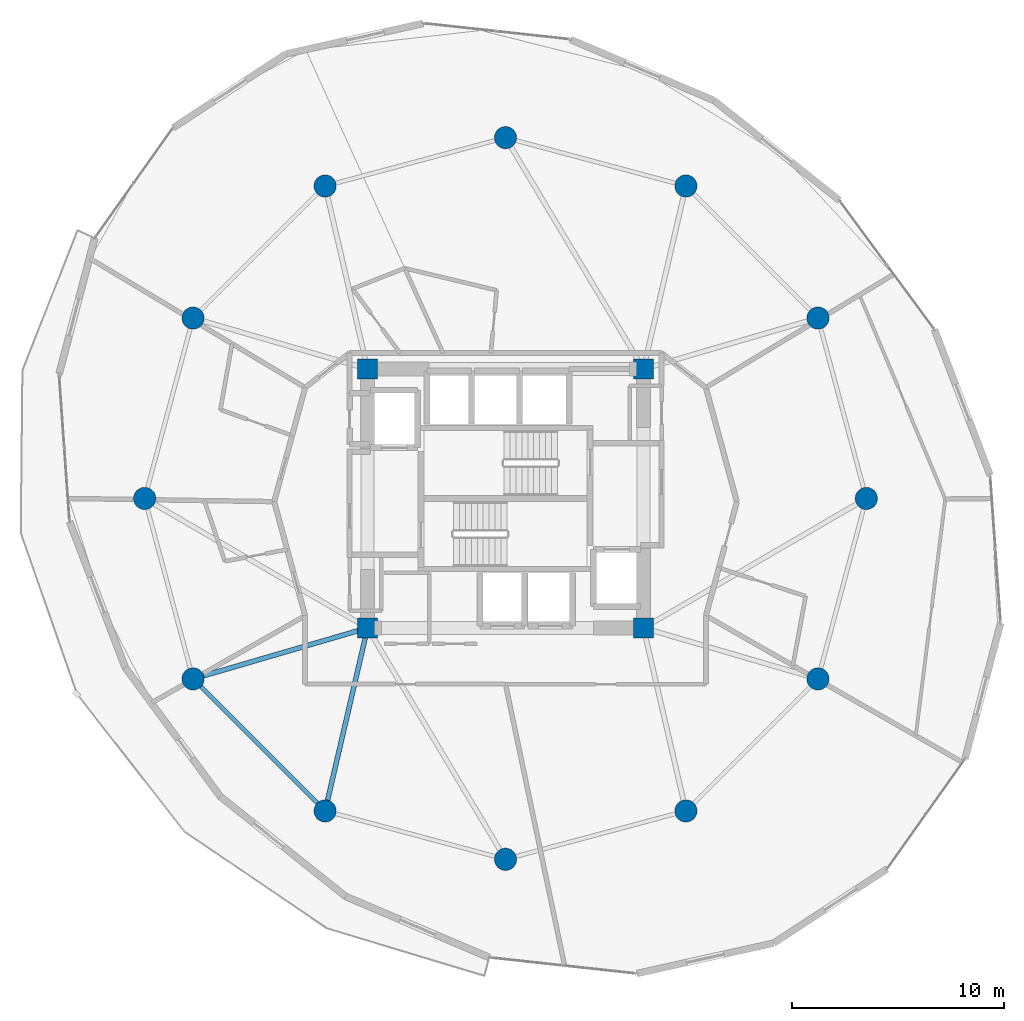
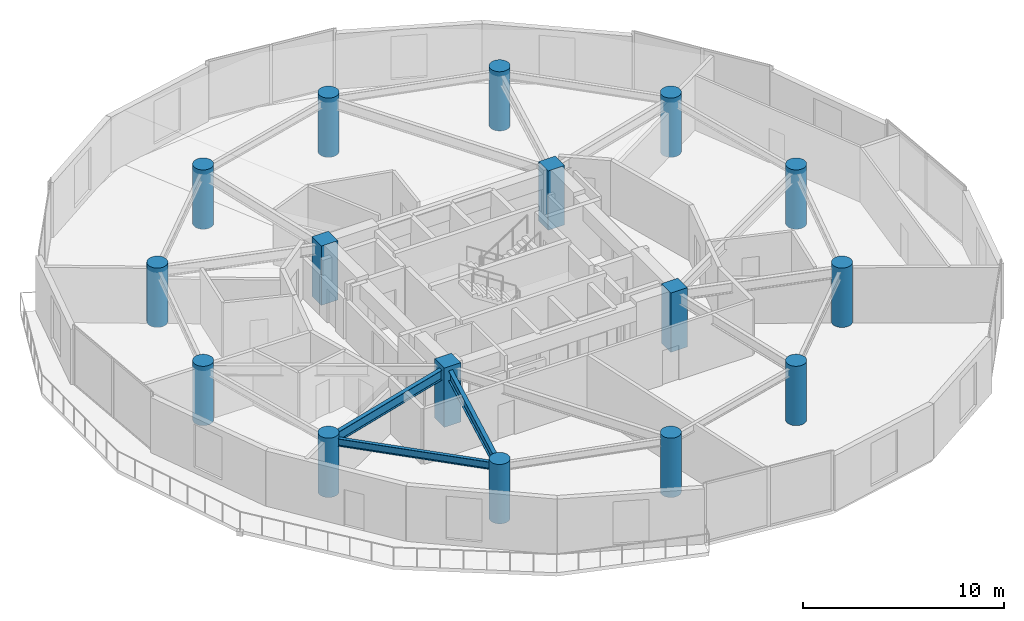
# One storey, part 1 of 22: 16 columns, 3 beams.
"""IFC4 building model written with IfcOpenShell, lengths in metres."""

from ifc_helpers import new_model, si_unit, direction, frame, origin, origin_2d, place, context, subcontext, project, spatial, rectangle, circle, i_section, extrude, material, material_profile, profile_set, type_object, element, save


model = new_model("IFC4")

# Units and contexts
model_context = context("Model", 3, precision=1e-05, world=origin(), true_north=direction((0.0, 1.0)))
body_context = subcontext(model_context, "Body", "Model", "MODEL_VIEW")
ifc_project = project(units=[si_unit("LENGTHUNIT", "METRE"), si_unit("AREAUNIT", "SQUARE_METRE"), si_unit("VOLUMEUNIT", "CUBIC_METRE"), si_unit("PLANEANGLEUNIT", "RADIAN"), si_unit("MASSUNIT", "GRAM", prefix="KILO")], contexts=[model_context])

# Site, building, storey
site_placement = place(None, origin())
site = spatial("IfcSite", under=ifc_project, at=site_placement, CompositionType="ELEMENT")
building_placement = place(site_placement, origin())
building = spatial("IfcBuilding", under=site, at=building_placement, Name="Solvirekh Grand Hotel", CompositionType="ELEMENT")
storey_placement = place(building_placement, frame((0.0, 0.0, 149.39990234375)))
storey = spatial("IfcBuildingStorey", under=building, at=storey_placement, Name="L38", CompositionType="ELEMENT", Elevation=149.39990234375)

# Columns
ifc_material_1 = material(Name="Concrete C50/60", Category="concrete")
ifc_material_profile_1 = material_profile(ifc_material_1, rectangle(XDim=0.949951171875, YDim=0.949951171875, at=origin_2d()), Name="RC 950X950")
ifc_profile_set_1 = profile_set([ifc_material_profile_1], Name="Concrete C50/60")
column_type_1 = type_object("IfcColumnType", Name="Col_Core_950", PredefinedType="COLUMN", material=ifc_profile_set_1)
for number, where, z_axis, x_axis, name in (
    (1, (-6.5, -6.10009765625, 0.0), (0.0, 0.0, 1.0), (1.0, 0.0, 0.0), "L38 core corner column CC1"),
    (2, (6.5, -6.10009765625, 0.0), (0.0, 0.0, 1.0), (1.0, 0.0, 0.0), "L38 core corner column CC2"),
    (3, (6.5, 6.10009765625, 0.0), (0.0, 0.0, 1.0), (1.0, 0.0, 0.0), "L38 core corner column CC3"),
    (4, (-6.5, 6.10009765625, 0.0), (0.0, 0.0, 1.0), (1.0, 0.0, 0.0), "L38 core corner column CC4"),
):
    element("IfcColumn", number, at=place(storey_placement, frame(where, z_axis=z_axis, x_axis=x_axis)), inside=storey, type_object=column_type_1, Name=name, PredefinedType="COLUMN", context=body_context, shape_type="SweptSolid", body=[
        extrude(rectangle(XDim=0.949951171875, YDim=0.949951171875, at=origin_2d()), origin(), (0.0, 0.0, 1.0), 3.60009765625),
    ])
ifc_material_profile_2 = material_profile(ifc_material_1, circle(Radius=0.52490234375, at=origin_2d()), Name="RC CIRC D1050")
ifc_profile_set_2 = profile_set([ifc_material_profile_2], Name="Concrete C50/60")
column_type_2 = type_object("IfcColumnType", Name="Col_Z2_D1050", PredefinedType="COLUMN", material=ifc_profile_set_2)
for number, where, z_axis, x_axis, name in (
    (5, (17.0, 0.0, 0.0), (0.0, 0.0, 1.0), (1.0, 0.0, 0.0), "L38 perimeter column P01"),
    (6, (14.721923828125, 8.5, 0.0), (0.0, 0.0, 1.0), (1.0, 0.0, 0.0), "L38 perimeter column P02"),
    (7, (8.5, 14.721923828125, 0.0), (0.0, 0.0, 1.0), (1.0, 0.0, 0.0), "L38 perimeter column P03"),
    (8, (0.0, 17.0, 0.0), (0.0, 0.0, 1.0), (1.0, 0.0, 0.0), "L38 perimeter column P04"),
    (9, (-8.5, 14.721923828125, 0.0), (0.0, 0.0, 1.0), (1.0, 0.0, 0.0), "L38 perimeter column P05"),
    (10, (-14.721923828125, 8.5, 0.0), (0.0, 0.0, 1.0), (1.0, 0.0, 0.0), "L38 perimeter column P06"),
    (11, (-17.0, 0.0, 0.0), (0.0, 0.0, 1.0), (1.0, 0.0, 0.0), "L38 perimeter column P07"),
    (12, (-14.721923828125, -8.5, 0.0), (0.0, 0.0, 1.0), (1.0, 0.0, 0.0), "L38 perimeter column P08"),
    (13, (-8.5, -14.721923828125, 0.0), (0.0, 0.0, 1.0), (1.0, 0.0, 0.0), "L38 perimeter column P09"),
    (14, (0.0, -17.0, 0.0), (0.0, 0.0, 1.0), (1.0, 0.0, 0.0), "L38 perimeter column P10"),
    (15, (8.5, -14.721923828125, 0.0), (0.0, 0.0, 1.0), (1.0, 0.0, 0.0), "L38 perimeter column P11"),
    (16, (14.721923828125, -8.5, 0.0), (0.0, 0.0, 1.0), (1.0, 0.0, 0.0), "L38 perimeter column P12"),
):
    element("IfcColumn", number, at=place(storey_placement, frame(where, z_axis=z_axis, x_axis=x_axis)), inside=storey, type_object=column_type_2, Name=name, PredefinedType="COLUMN", context=body_context, shape_type="SweptSolid", body=[
        extrude(circle(Radius=0.52490234375, at=origin_2d()), origin(), (0.0, 0.0, 1.0), 3.60009765625),
    ])

# Beams
ifc_material_2 = material(Name="Steel S355", Category="steel")
ifc_material_profile_3 = material_profile(ifc_material_2, i_section(OverallWidth=0.22802734375, OverallDepth=0.616943359375, WebThickness=0.012939453125, FlangeThickness=0.02001953125, FilletRadius=0.014892578125, at=origin_2d()), Name="W610X140")
ifc_profile_set_3 = profile_set([ifc_material_profile_3], Name="Steel S355")
beam_type_1 = type_object("IfcBeamType", Name="Beam_Radial_W610", PredefinedType="BEAM", material=ifc_profile_set_3)
beam_1_placement = place(storey_placement, frame((-6.5, -6.10009765625, 3.041015625), z_axis=(-0.959942195467, -0.28019811092, 0.0), x_axis=(0.28019811092, -0.959942195467, 0.0)))
element("IfcBeam", 17, at=beam_1_placement, inside=storey, type_object=beam_type_1, Name="L38 radial floor beam R08", PredefinedType="BEAM", context=body_context, shape_type="SweptSolid", body=[
    extrude(i_section(OverallWidth=0.22802734375, OverallDepth=0.616943359375, WebThickness=0.012939453125, FlangeThickness=0.02001953125, FilletRadius=0.014892578125, at=origin_2d()), origin(), (0.0, 0.0, 1.0), 8.56494140625),
])
beam_2_placement = place(storey_placement, frame((-6.5, -6.10009765625, 3.041015625), z_axis=(-0.225969390542, -0.974134402707, 0.0), x_axis=(0.974134402707, -0.225969390542, 0.0)))
element("IfcBeam", 18, at=beam_2_placement, inside=storey, type_object=beam_type_1, Name="L38 radial floor beam R09", PredefinedType="BEAM", context=body_context, shape_type="SweptSolid", body=[
    extrude(i_section(OverallWidth=0.22802734375, OverallDepth=0.616943359375, WebThickness=0.012939453125, FlangeThickness=0.02001953125, FilletRadius=0.014892578125, at=origin_2d()), origin(), (0.0, 0.0, 1.0), 8.850830078125),
])
ifc_material_profile_4 = material_profile(ifc_material_2, i_section(OverallWidth=0.18994140625, OverallDepth=0.45703125, WebThickness=0.009033203125, FlangeThickness=0.013916015625, FilletRadius=0.012939453125, at=origin_2d()), Name="W460X74")
ifc_profile_set_4 = profile_set([ifc_material_profile_4], Name="Steel S355")
beam_type_2 = type_object("IfcBeamType", Name="Spandrel_Ring_W460", PredefinedType="SPANDREL", material=ifc_profile_set_4)
beam_3_placement = place(storey_placement, frame((-14.721923828125, -8.5, 3.1220703125), z_axis=(0.707106781187, -0.707106781187, 0.0), x_axis=(0.707106781187, 0.707106781187, 0.0)))
element("IfcBeam", 19, at=beam_3_placement, inside=storey, type_object=beam_type_2, Name="L38 perimeter spandrel beam 8", PredefinedType="SPANDREL", context=body_context, shape_type="SweptSolid", body=[
    extrude(i_section(OverallWidth=0.18994140625, OverallDepth=0.45703125, WebThickness=0.009033203125, FlangeThickness=0.013916015625, FilletRadius=0.012939453125, at=origin_2d()), origin(), (0.0, 0.0, 1.0), 8.799072265625),
])

save(model, "model.ifc")
